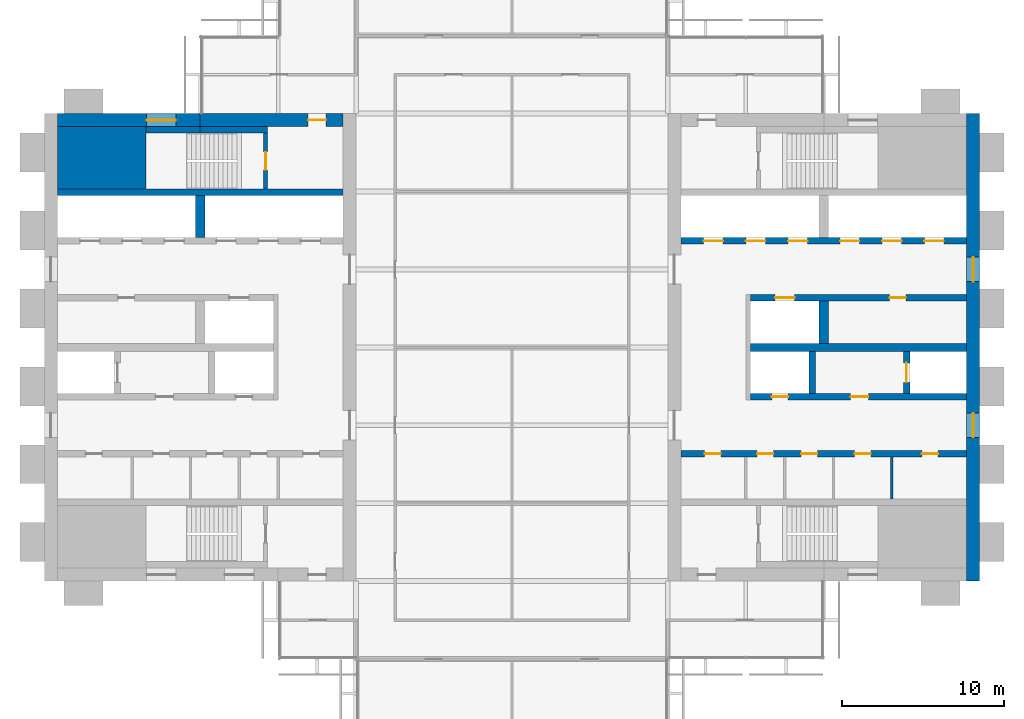
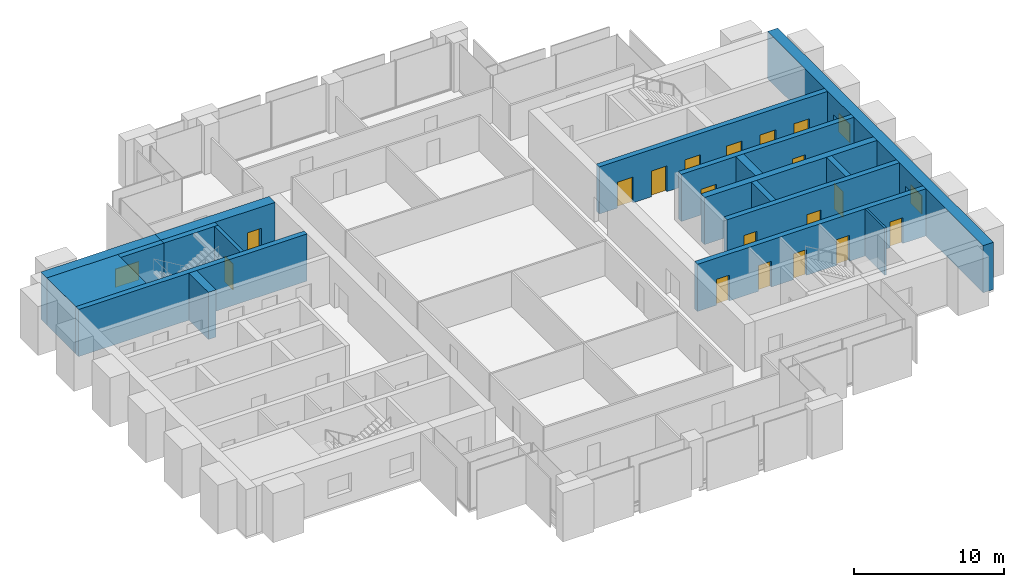
# One storey, part 10 of 13: 18 doors, 18 walls, 3 windows, 21 openings.
"""IFC4 building model written with IfcOpenShell, lengths in metres."""

from ifc_helpers import new_model, si_unit, direction, frame, frame_2d, origin, place, context, subcontext, project, spatial, rectangle, extrude, material, layer, layer_set, type_object, element, fill, save


model = new_model("IFC4")

# Units and contexts
model_context = context("Model", 3, precision=1e-05, world=origin(), true_north=direction((0.0, 1.0)))
body_context = subcontext(model_context, "Body", "Model", "MODEL_VIEW")
ifc_project = project(units=[si_unit("LENGTHUNIT", "METRE"), si_unit("AREAUNIT", "SQUARE_METRE"), si_unit("VOLUMEUNIT", "CUBIC_METRE"), si_unit("PLANEANGLEUNIT", "RADIAN"), si_unit("MASSUNIT", "GRAM", prefix="KILO")], contexts=[model_context])

# Site, building, storey
site_placement = place(None, origin())
site = spatial("IfcSite", under=ifc_project, at=site_placement, CompositionType="ELEMENT")
building_placement = place(site_placement, origin())
building = spatial("IfcBuilding", under=site, at=building_placement, Name="Baori Bourse Tower", CompositionType="ELEMENT")
storey_placement = place(building_placement, frame((0.0, 0.0, 217.199951171875)))
storey = spatial("IfcBuildingStorey", under=building, at=storey_placement, Name="L47", CompositionType="ELEMENT", Elevation=217.199951171875)

# Walls
ifc_material_1 = material(Name="Concrete f'c 50 MPa", Category="concrete")
wall_type_1 = type_object("IfcWallType", Name="Core corner block f'c 50", PredefinedType="SHEAR", material=ifc_material_1)
wall_1_placement = place(storey_placement, frame((0.800048828125, 35.675048828125, 0.0), z_axis=(0.0, 0.0, 1.0), x_axis=(1.0, 0.0, 0.0)))
element("IfcWall", 1, at=wall_1_placement, inside=storey, type_object=wall_type_1, Name="Core wall W24", PredefinedType="SHEAR", context=body_context, shape_type="SweptSolid", body=[
    extrude(rectangle(XDim=5.449951171875, YDim=3.85009765625, at=frame_2d((2.72509765625, 0.0))), origin(), (0.0, 0.0, 1.0), 3.840087890625),
])
ifc_material_2 = material(Name="Blockwork partition", Category="masonry")
ifc_layer_1 = layer(ifc_material_2, 0.14990234375)
ifc_layer_set_1 = layer_set([ifc_layer_1], Name="Core partition 150")
wall_type_2 = type_object("IfcWallType", Name="Core partition 150", PredefinedType="PARTITIONING", material=ifc_layer_set_1)
wall_2_placement = place(storey_placement, frame((52.199951171875, 14.64990234375, 0.0), z_axis=(0.0, 0.0, 1.0), x_axis=(0.0, 1.0, 0.0)))
element("IfcWall", 2, at=wall_2_placement, inside=storey, type_object=wall_type_2, Name="Partition wall E10", PredefinedType="PARTITIONING", context=body_context, shape_type="SweptSolid", body=[
    extrude(rectangle(XDim=2.60009765625, YDim=0.14990234375, at=frame_2d((1.300048828125, 0.0))), origin(), (0.0, 0.0, 1.0), 3.840087890625),
])

# Wall, opening, window
ifc_material_3 = material(Name="Concrete f'c 50 MPa", Category="concrete")
ifc_layer_2 = layer(ifc_material_3, 0.800048828125)
ifc_layer_set_2 = layer_set([ifc_layer_2], Name="Core wall 800 f'c 50")
wall_type_3 = type_object("IfcWallType", Name="Core wall 800 f'c 50", PredefinedType="SHEAR", material=ifc_layer_set_2)
wall_3_placement = place(storey_placement, frame((0.800048828125, 38.0, 0.0), z_axis=(0.0, 0.0, 1.0), x_axis=(1.0, 0.0, 0.0)))
wall_3 = element("IfcWall", 3, at=wall_3_placement, inside=storey, type_object=wall_type_3, Name="Core wall W28", PredefinedType="SHEAR", context=body_context, shape_type="SweptSolid", body=[
    extrude(rectangle(XDim=8.800048828125, YDim=0.800048828125, at=frame_2d((4.39990234375, 0.0))), origin(), (0.0, 0.0, 1.0), 3.840087890625),
])
opening_1_placement = place(wall_3_placement, frame((5.5, 0.0, 0.89990234375)))
opening_1 = element("IfcOpeningElement", 4, at=opening_1_placement, cuts=wall_3, Name="Opening L47-KW105", PredefinedType="OPENING", context=body_context, shape_type="SweptSolid", body=[
    extrude(rectangle(XDim=1.800048828125, YDim=1.5, at=frame_2d((0.89990234375, 0.75))), frame((0.0, 0.409912109375, 0.0), z_axis=(0.0, -1.0, 0.0), x_axis=(1.0, 0.0, 0.0)), (0.0, 0.0, 1.0), 0.820068359375),
])
ifc_material_4 = material(Name="Pale anodised aluminium", Category="aluminium")
window_type_1 = type_object("IfcWindowType", Name="Stair window 1800 x 1500", PartitioningType="SINGLE_PANEL", PredefinedType="WINDOW", material=ifc_material_4)
window_1_placement = place(opening_1_placement, origin())
window_1 = element("IfcWindow", 5, at=window_1_placement, inside=storey, type_object=window_type_1, Name="Stair window W L47 5", OverallHeight=1.5, OverallWidth=1.800048828125, PartitioningType="SINGLE_PANEL", PredefinedType="WINDOW", context=body_context, shape_type="SweptSolid", body=[
    extrude(rectangle(XDim=1.800048828125, YDim=1.5, at=frame_2d((0.89990234375, 0.75))), frame((0.0, 0.030029296875, 0.0), z_axis=(0.0, -1.0, 0.0), x_axis=(1.0, 0.0, 0.0)), (0.0, 0.0, 1.0), 0.06005859375),
])
fill(opening_1, window_1)

# Wall, opening, door
wall_4_placement = place(storey_placement, frame((9.60009765625, 38.0, 0.0), z_axis=(0.0, 0.0, 1.0), x_axis=(1.0, 0.0, 0.0)))
wall_4 = element("IfcWall", 6, at=wall_4_placement, inside=storey, type_object=wall_type_3, Name="Core wall W29", PredefinedType="SHEAR", context=body_context, shape_type="SweptSolid", body=[
    extrude(rectangle(XDim=8.7998046875, YDim=0.800048828125, at=frame_2d((4.39990234375, 0.0))), origin(), (0.0, 0.0, 1.0), 3.840087890625),
])
opening_2_placement = place(wall_4_placement, frame((6.64990234375, 0.0, 0.0)))
opening_2 = element("IfcOpeningElement", 7, at=opening_2_placement, cuts=wall_4, Name="Opening L47-D104", PredefinedType="OPENING", context=body_context, shape_type="SweptSolid", body=[
    extrude(rectangle(XDim=1.10009765625, YDim=2.10009765625, at=frame_2d((0.550048828125, 1.050048828125))), frame((0.0, 0.409912109375, 0.0), z_axis=(0.0, -1.0, 0.0), x_axis=(1.0, 0.0, 0.0)), (0.0, 0.0, 1.0), 0.820068359375),
])
ifc_material_5 = material(Name="Painted steel door", Category="steel")
door_type_1 = type_object("IfcDoorType", Name="Stair door 1100", OperationType="SINGLE_SWING_LEFT", PredefinedType="DOOR", material=ifc_material_5)
door_1_placement = place(opening_2_placement, origin())
door_1 = element("IfcDoor", 8, at=door_1_placement, inside=storey, type_object=door_type_1, Name="Stair vestibule door B W L47", OperationType="SINGLE_SWING_LEFT", OverallHeight=2.10009765625, OverallWidth=1.10009765625, PredefinedType="DOOR", context=body_context, shape_type="SweptSolid", body=[
    extrude(rectangle(XDim=1.10009765625, YDim=2.10009765625, at=frame_2d((0.550048828125, 1.050048828125))), frame((0.0, 0.02490234375, 0.0), z_axis=(0.0, -1.0, 0.0), x_axis=(1.0, 0.0, 0.0)), (0.0, 0.0, 1.0), 0.050048828125),
])
fill(opening_2, door_1)

# Wall, openings, windows
wall_5_placement = place(storey_placement, frame((57.199951171875, 38.39990234375, 0.0), z_axis=(0.0, 0.0, 1.0), x_axis=(0.0, -1.0, 0.0)))
wall_5 = element("IfcWall", 9, at=wall_5_placement, inside=storey, type_object=wall_type_3, Name="Core wall E01", PredefinedType="SHEAR", context=body_context, shape_type="SweptSolid", body=[
    extrude(rectangle(XDim=28.7998046875, YDim=0.800048828125, at=frame_2d((14.39990234375, 0.0))), origin(), (0.0, 0.0, 1.0), 3.840087890625),
])
opening_3_placement = place(wall_5_placement, frame((18.449951171875, 0.0, 0.89990234375)))
opening_3 = element("IfcOpeningElement", 10, at=opening_3_placement, cuts=wall_5, Name="Opening L47-KW201", PredefinedType="OPENING", context=body_context, shape_type="SweptSolid", body=[
    extrude(rectangle(XDim=1.5, YDim=1.5, at=frame_2d((0.75, 0.75))), frame((0.0, 0.409912109375, 0.0), z_axis=(0.0, -1.0, 0.0), x_axis=(1.0, 0.0, 0.0)), (0.0, 0.0, 1.0), 0.820068359375),
])
opening_4_placement = place(wall_5_placement, frame((8.85009765625, 0.0, 0.89990234375)))
opening_4 = element("IfcOpeningElement", 11, at=opening_4_placement, cuts=wall_5, Name="Opening L47-KW202", PredefinedType="OPENING", context=body_context, shape_type="SweptSolid", body=[
    extrude(rectangle(XDim=1.5, YDim=1.5, at=frame_2d((0.75, 0.75))), frame((0.0, 0.409912109375, 0.0), z_axis=(0.0, -1.0, 0.0), x_axis=(1.0, 0.0, 0.0)), (0.0, 0.0, 1.0), 0.820068359375),
])
ifc_material_6 = material(Name="Pale anodised aluminium", Category="aluminium")
window_type_2 = type_object("IfcWindowType", Name="Lobby window 1500 x 1500", PartitioningType="SINGLE_PANEL", PredefinedType="WINDOW", material=ifc_material_6)
window_2_placement = place(opening_3_placement, origin())
window_2 = element("IfcWindow", 12, at=window_2_placement, inside=storey, type_object=window_type_2, Name="Outer wall window E L47 1", OverallHeight=1.5, OverallWidth=1.5, PartitioningType="SINGLE_PANEL", PredefinedType="WINDOW", context=body_context, shape_type="SweptSolid", body=[
    extrude(rectangle(XDim=1.5, YDim=1.5, at=frame_2d((0.75, 0.75))), frame((0.0, 0.030029296875, 0.0), z_axis=(0.0, -1.0, 0.0), x_axis=(1.0, 0.0, 0.0)), (0.0, 0.0, 1.0), 0.06005859375),
])
fill(opening_3, window_2)
window_3_placement = place(opening_4_placement, origin())
window_3 = element("IfcWindow", 13, at=window_3_placement, inside=storey, type_object=window_type_2, Name="Outer wall window E L47 2", OverallHeight=1.5, OverallWidth=1.5, PartitioningType="SINGLE_PANEL", PredefinedType="WINDOW", context=body_context, shape_type="SweptSolid", body=[
    extrude(rectangle(XDim=1.5, YDim=1.5, at=frame_2d((0.75, 0.75))), frame((0.0, 0.030029296875, 0.0), z_axis=(0.0, -1.0, 0.0), x_axis=(1.0, 0.0, 0.0)), (0.0, 0.0, 1.0), 0.06005859375),
])
fill(opening_4, window_3)

# Wall, opening, door
ifc_material_7 = material(Name="Concrete f'c 50 MPa", Category="concrete")
ifc_layer_3 = layer(ifc_material_7, 0.25)
ifc_layer_set_3 = layer_set([ifc_layer_3], Name="Shaft wall 250 f'c 50")
wall_type_4 = type_object("IfcWallType", Name="Shaft wall 250 f'c 50", PredefinedType="SHEAR", material=ifc_layer_set_3)
wall_6_placement = place(storey_placement, frame((13.625, 33.75, 0.0), z_axis=(0.0, 0.0, 1.0), x_axis=(0.0, 1.0, 0.0)))
wall_6 = element("IfcWall", 14, at=wall_6_placement, inside=storey, type_object=wall_type_4, Name="Core wall W25", PredefinedType="SHEAR", context=body_context, shape_type="SweptSolid", body=[
    extrude(rectangle(XDim=3.449951171875, YDim=0.25, at=frame_2d((1.72509765625, 0.0))), origin(), (0.0, 0.0, 1.0), 3.840087890625),
])
opening_5_placement = place(wall_6_placement, frame((1.175048828125, 0.0, 0.0)))
opening_5 = element("IfcOpeningElement", 15, at=opening_5_placement, cuts=wall_6, Name="Opening L47-D103", PredefinedType="OPENING", context=body_context, shape_type="SweptSolid", body=[
    extrude(rectangle(XDim=1.10009765625, YDim=2.10009765625, at=frame_2d((0.550048828125, 1.050048828125))), frame((0.0, 0.135009765625, 0.0), z_axis=(0.0, -1.0, 0.0), x_axis=(1.0, 0.0, 0.0)), (0.0, 0.0, 1.0), 0.27001953125),
])
door_2_placement = place(opening_5_placement, origin())
door_2 = element("IfcDoor", 16, at=door_2_placement, inside=storey, type_object=door_type_1, Name="Stair door B W L47", OperationType="SINGLE_SWING_LEFT", OverallHeight=2.10009765625, OverallWidth=1.10009765625, PredefinedType="DOOR", context=body_context, shape_type="SweptSolid", body=[
    extrude(rectangle(XDim=1.10009765625, YDim=2.10009765625, at=frame_2d((0.550048828125, 1.050048828125))), frame((0.0, 0.02490234375, 0.0), z_axis=(0.0, -1.0, 0.0), x_axis=(1.0, 0.0, 0.0)), (0.0, 0.0, 1.0), 0.050048828125),
])
fill(opening_5, door_2)

# Walls
ifc_material_8 = material(Name="Concrete f'c 50 MPa", Category="concrete")
ifc_layer_4 = layer(ifc_material_8, 0.39990234375)
ifc_layer_set_4 = layer_set([ifc_layer_4], Name="Shaft wall 400 f'c 50")
wall_type_5 = type_object("IfcWallType", Name="Shaft wall 400 f'c 50", PredefinedType="SHEAR", material=ifc_layer_set_4)
wall_7_placement = place(storey_placement, frame((0.800048828125, 33.550048828125, 0.0), z_axis=(0.0, 0.0, 1.0), x_axis=(1.0, 0.0, 0.0)))
element("IfcWall", 17, at=wall_7_placement, inside=storey, type_object=wall_type_5, Name="Core wall W23", PredefinedType="SHEAR", context=body_context, shape_type="SweptSolid", body=[
    extrude(rectangle(XDim=17.599853515625, YDim=0.39990234375, at=frame_2d((8.7998046875, 0.0))), origin(), (0.0, 0.0, 1.0), 3.840087890625),
])
wall_8_placement = place(storey_placement, frame((6.25, 37.39990234375, 0.0), z_axis=(0.0, 0.0, 1.0), x_axis=(1.0, 0.0, 0.0)))
element("IfcWall", 18, at=wall_8_placement, inside=storey, type_object=wall_type_5, Name="Core wall W26", PredefinedType="SHEAR", context=body_context, shape_type="SweptSolid", body=[
    extrude(rectangle(XDim=3.35009765625, YDim=0.39990234375, at=frame_2d((1.675048828125, 0.0))), origin(), (0.0, 0.0, 1.0), 3.840087890625),
])
wall_9_placement = place(storey_placement, frame((9.60009765625, 37.39990234375, 0.0), z_axis=(0.0, 0.0, 1.0), x_axis=(1.0, 0.0, 0.0)))
element("IfcWall", 19, at=wall_9_placement, inside=storey, type_object=wall_type_5, Name="Core wall W27", PredefinedType="SHEAR", context=body_context, shape_type="SweptSolid", body=[
    extrude(rectangle(XDim=4.14990234375, YDim=0.39990234375, at=frame_2d((2.074951171875, 0.0))), origin(), (0.0, 0.0, 1.0), 3.840087890625),
])

# Wall, openings, doors
wall_10_placement = place(storey_placement, frame((39.199951171875, 17.449951171875, 0.0), z_axis=(0.0, 0.0, 1.0), x_axis=(1.0, 0.0, 0.0)))
wall_10 = element("IfcWall", 20, at=wall_10_placement, inside=storey, type_object=wall_type_5, Name="Core wall E14", PredefinedType="SHEAR", context=body_context, shape_type="SweptSolid", body=[
    extrude(rectangle(XDim=17.60009765625, YDim=0.39990234375, at=frame_2d((8.800048828125, 0.0))), origin(), (0.0, 0.0, 1.0), 3.840087890625),
])
opening_6_placement = place(wall_10_placement, frame((14.83740234375, 0.0, 0.0)))
opening_6 = element("IfcOpeningElement", 21, at=opening_6_placement, cuts=wall_10, Name="Opening L47-D209", PredefinedType="OPENING", context=body_context, shape_type="SweptSolid", body=[
    extrude(rectangle(XDim=1.0, YDim=2.10009765625, at=frame_2d((0.5, 1.050048828125))), frame((0.0, 0.2099609375, 0.0), z_axis=(0.0, -1.0, 0.0), x_axis=(1.0, 0.0, 0.0)), (0.0, 0.0, 1.0), 0.419921875),
])
opening_7_placement = place(wall_10_placement, frame((10.699951171875, 0.0, 0.0)))
opening_7 = element("IfcOpeningElement", 22, at=opening_7_placement, cuts=wall_10, Name="Opening L47-D210", PredefinedType="OPENING", context=body_context, shape_type="SweptSolid", body=[
    extrude(rectangle(XDim=1.0, YDim=2.10009765625, at=frame_2d((0.5, 1.050048828125))), frame((0.0, 0.2099609375, 0.0), z_axis=(0.0, -1.0, 0.0), x_axis=(1.0, 0.0, 0.0)), (0.0, 0.0, 1.0), 0.419921875),
])
opening_8_placement = place(wall_10_placement, frame((7.39990234375, 0.0, 0.0)))
opening_8 = element("IfcOpeningElement", 23, at=opening_8_placement, cuts=wall_10, Name="Opening L47-D211", PredefinedType="OPENING", context=body_context, shape_type="SweptSolid", body=[
    extrude(rectangle(XDim=1.0, YDim=2.10009765625, at=frame_2d((0.5, 1.050048828125))), frame((0.0, 0.2099609375, 0.0), z_axis=(0.0, -1.0, 0.0), x_axis=(1.0, 0.0, 0.0)), (0.0, 0.0, 1.0), 0.419921875),
])
opening_9_placement = place(wall_10_placement, frame((4.699951171875, 0.0, 0.0)))
opening_9 = element("IfcOpeningElement", 24, at=opening_9_placement, cuts=wall_10, Name="Opening L47-D212", PredefinedType="OPENING", context=body_context, shape_type="SweptSolid", body=[
    extrude(rectangle(XDim=1.0, YDim=2.10009765625, at=frame_2d((0.5, 1.050048828125))), frame((0.0, 0.2099609375, 0.0), z_axis=(0.0, -1.0, 0.0), x_axis=(1.0, 0.0, 0.0)), (0.0, 0.0, 1.0), 0.419921875),
])
opening_10_placement = place(wall_10_placement, frame((1.46240234375, 0.0, 0.0)))
opening_10 = element("IfcOpeningElement", 25, at=opening_10_placement, cuts=wall_10, Name="Opening L47-D213", PredefinedType="OPENING", context=body_context, shape_type="SweptSolid", body=[
    extrude(rectangle(XDim=1.0, YDim=2.10009765625, at=frame_2d((0.5, 1.050048828125))), frame((0.0, 0.2099609375, 0.0), z_axis=(0.0, -1.0, 0.0), x_axis=(1.0, 0.0, 0.0)), (0.0, 0.0, 1.0), 0.419921875),
])
ifc_material_9 = material(Name="Painted steel door", Category="steel")
door_type_2 = type_object("IfcDoorType", Name="Core door 1000", OperationType="SINGLE_SWING_LEFT", PredefinedType="DOOR", material=ifc_material_9)
door_3_placement = place(opening_6_placement, origin())
door_3 = element("IfcDoor", 26, at=door_3_placement, inside=storey, type_object=door_type_2, Name="Men'S Wc door E L47", OperationType="SINGLE_SWING_LEFT", OverallHeight=2.10009765625, OverallWidth=1.0, PredefinedType="DOOR", context=body_context, shape_type="SweptSolid", body=[
    extrude(rectangle(XDim=1.0, YDim=2.10009765625, at=frame_2d((0.5, 1.050048828125))), frame((0.0, 0.02490234375, 0.0), z_axis=(0.0, -1.0, 0.0), x_axis=(1.0, 0.0, 0.0)), (0.0, 0.0, 1.0), 0.050048828125),
])
fill(opening_6, door_3)
door_4_placement = place(opening_7_placement, origin())
door_4 = element("IfcDoor", 27, at=door_4_placement, inside=storey, type_object=door_type_2, Name="Women'S Wc door E L47", OperationType="SINGLE_SWING_LEFT", OverallHeight=2.10009765625, OverallWidth=1.0, PredefinedType="DOOR", context=body_context, shape_type="SweptSolid", body=[
    extrude(rectangle(XDim=1.0, YDim=2.10009765625, at=frame_2d((0.5, 1.050048828125))), frame((0.0, 0.02490234375, 0.0), z_axis=(0.0, -1.0, 0.0), x_axis=(1.0, 0.0, 0.0)), (0.0, 0.0, 1.0), 0.050048828125),
])
fill(opening_7, door_4)
door_5_placement = place(opening_8_placement, origin())
door_5 = element("IfcDoor", 28, at=door_5_placement, inside=storey, type_object=door_type_2, Name="Pantry door E L47", OperationType="SINGLE_SWING_LEFT", OverallHeight=2.10009765625, OverallWidth=1.0, PredefinedType="DOOR", context=body_context, shape_type="SweptSolid", body=[
    extrude(rectangle(XDim=1.0, YDim=2.10009765625, at=frame_2d((0.5, 1.050048828125))), frame((0.0, 0.02490234375, 0.0), z_axis=(0.0, -1.0, 0.0), x_axis=(1.0, 0.0, 0.0)), (0.0, 0.0, 1.0), 0.050048828125),
])
fill(opening_8, door_5)
door_6_placement = place(opening_9_placement, origin())
door_6 = element("IfcDoor", 29, at=door_6_placement, inside=storey, type_object=door_type_2, Name="Store Room door E L47", OperationType="SINGLE_SWING_LEFT", OverallHeight=2.10009765625, OverallWidth=1.0, PredefinedType="DOOR", context=body_context, shape_type="SweptSolid", body=[
    extrude(rectangle(XDim=1.0, YDim=2.10009765625, at=frame_2d((0.5, 1.050048828125))), frame((0.0, 0.02490234375, 0.0), z_axis=(0.0, -1.0, 0.0), x_axis=(1.0, 0.0, 0.0)), (0.0, 0.0, 1.0), 0.050048828125),
])
fill(opening_9, door_6)
door_7_placement = place(opening_10_placement, origin())
door_7 = element("IfcDoor", 30, at=door_7_placement, inside=storey, type_object=door_type_2, Name="Accessible Wc door E L47", OperationType="SINGLE_SWING_LEFT", OverallHeight=2.10009765625, OverallWidth=1.0, PredefinedType="DOOR", context=body_context, shape_type="SweptSolid", body=[
    extrude(rectangle(XDim=1.0, YDim=2.10009765625, at=frame_2d((0.5, 1.050048828125))), frame((0.0, 0.02490234375, 0.0), z_axis=(0.0, -1.0, 0.0), x_axis=(1.0, 0.0, 0.0)), (0.0, 0.0, 1.0), 0.050048828125),
])
fill(opening_10, door_7)

wall_11_placement = place(storey_placement, frame((43.5, 20.949951171875, 0.0), z_axis=(0.0, 0.0, 1.0), x_axis=(1.0, 0.0, 0.0)))
wall_11 = element("IfcWall", 31, at=wall_11_placement, inside=storey, type_object=wall_type_5, Name="Core wall E15", PredefinedType="SHEAR", context=body_context, shape_type="SweptSolid", body=[
    extrude(rectangle(XDim=13.300048828125, YDim=0.39990234375, at=frame_2d((6.64990234375, 0.0))), origin(), (0.0, 0.0, 1.0), 3.840087890625),
])
opening_11_placement = place(wall_11_placement, frame((6.14990234375, 0.0, 0.0)))
opening_11 = element("IfcOpeningElement", 32, at=opening_11_placement, cuts=wall_11, Name="Opening L47-D205", PredefinedType="OPENING", context=body_context, shape_type="SweptSolid", body=[
    extrude(rectangle(XDim=1.10009765625, YDim=2.10009765625, at=frame_2d((0.550048828125, 1.050048828125))), frame((0.0, 0.2099609375, 0.0), z_axis=(0.0, -1.0, 0.0), x_axis=(1.0, 0.0, 0.0)), (0.0, 0.0, 1.0), 0.419921875),
])
opening_12_placement = place(wall_11_placement, frame((1.300048828125, 0.0, 0.0)))
opening_12 = element("IfcOpeningElement", 33, at=opening_12_placement, cuts=wall_11, Name="Opening L47-D206", PredefinedType="OPENING", context=body_context, shape_type="SweptSolid", body=[
    extrude(rectangle(XDim=1.0, YDim=2.10009765625, at=frame_2d((0.5, 1.050048828125))), frame((0.0, 0.2099609375, 0.0), z_axis=(0.0, -1.0, 0.0), x_axis=(1.0, 0.0, 0.0)), (0.0, 0.0, 1.0), 0.419921875),
])
ifc_material_10 = material(Name="Painted steel door", Category="steel")
door_type_3 = type_object("IfcDoorType", Name="Lobby door 1100", OperationType="SINGLE_SWING_LEFT", PredefinedType="DOOR", material=ifc_material_10)
door_8_placement = place(opening_11_placement, origin())
door_8 = element("IfcDoor", 34, at=door_8_placement, inside=storey, type_object=door_type_3, Name="Firefighting lobby door E L47", OperationType="SINGLE_SWING_LEFT", OverallHeight=2.10009765625, OverallWidth=1.10009765625, PredefinedType="DOOR", context=body_context, shape_type="SweptSolid", body=[
    extrude(rectangle(XDim=1.10009765625, YDim=2.10009765625, at=frame_2d((0.550048828125, 1.050048828125))), frame((0.0, 0.02490234375, 0.0), z_axis=(0.0, -1.0, 0.0), x_axis=(1.0, 0.0, 0.0)), (0.0, 0.0, 1.0), 0.050048828125),
])
fill(opening_11, door_8)
ifc_material_11 = material(Name="Painted steel door", Category="steel")
door_type_4 = type_object("IfcDoorType", Name="Shaft door 1000", OperationType="SINGLE_SWING_LEFT", PredefinedType="DOOR", material=ifc_material_11)
door_9_placement = place(opening_12_placement, origin())
door_9 = element("IfcDoor", 35, at=door_9_placement, inside=storey, type_object=door_type_4, Name="Riser room door E L47", OperationType="SINGLE_SWING_LEFT", OverallHeight=2.10009765625, OverallWidth=1.0, PredefinedType="DOOR", context=body_context, shape_type="SweptSolid", body=[
    extrude(rectangle(XDim=1.0, YDim=2.10009765625, at=frame_2d((0.5, 1.050048828125))), frame((0.0, 0.02490234375, 0.0), z_axis=(0.0, -1.0, 0.0), x_axis=(1.0, 0.0, 0.0)), (0.0, 0.0, 1.0), 0.050048828125),
])
fill(opening_12, door_9)

# Wall, opening, door
wall_12_placement = place(storey_placement, frame((53.10009765625, 21.14990234375, 0.0), z_axis=(0.0, 0.0, 1.0), x_axis=(0.0, 1.0, 0.0)))
wall_12 = element("IfcWall", 36, at=wall_12_placement, inside=storey, type_object=wall_type_5, Name="Core wall E17", PredefinedType="SHEAR", context=body_context, shape_type="SweptSolid", body=[
    extrude(rectangle(XDim=2.60009765625, YDim=0.39990234375, at=frame_2d((1.300048828125, 0.0))), origin(), (0.0, 0.0, 1.0), 3.840087890625),
])
opening_13_placement = place(wall_12_placement, frame((0.699951171875, 0.0, 0.0)))
opening_13 = element("IfcOpeningElement", 37, at=opening_13_placement, cuts=wall_12, Name="Opening L47-D222", PredefinedType="OPENING", context=body_context, shape_type="SweptSolid", body=[
    extrude(rectangle(XDim=1.199951171875, YDim=2.10009765625, at=frame_2d((0.60009765625, 1.050048828125))), frame((0.0, 0.2099609375, 0.0), z_axis=(0.0, -1.0, 0.0), x_axis=(1.0, 0.0, 0.0)), (0.0, 0.0, 1.0), 0.419921875),
])
ifc_material_12 = material(Name="Stainless steel door", Category="steel")
door_type_5 = type_object("IfcDoorType", Name="Lift landing door", OperationType="DOUBLE_DOOR_SLIDING", PredefinedType="DOOR", material=ifc_material_12)
door_10_placement = place(opening_13_placement, origin())
door_10 = element("IfcDoor", 38, at=door_10_placement, inside=storey, type_object=door_type_5, Name="Lift landing door FF2 E L47", OperationType="DOUBLE_DOOR_SLIDING", OverallHeight=2.10009765625, OverallWidth=1.199951171875, PredefinedType="DOOR", context=body_context, shape_type="SweptSolid", body=[
    extrude(rectangle(XDim=1.199951171875, YDim=2.10009765625, at=frame_2d((0.60009765625, 1.050048828125))), frame((0.0, 0.02490234375, 0.0), z_axis=(0.0, -1.0, 0.0), x_axis=(1.0, 0.0, 0.0)), (0.0, 0.0, 1.0), 0.050048828125),
])
fill(opening_13, door_10)

# Wall
wall_13_placement = place(storey_placement, frame((47.300048828125, 21.14990234375, 0.0), z_axis=(0.0, 0.0, 1.0), x_axis=(0.0, 1.0, 0.0)))
element("IfcWall", 39, at=wall_13_placement, inside=storey, type_object=wall_type_5, Name="Core wall E18", PredefinedType="SHEAR", context=body_context, shape_type="SweptSolid", body=[
    extrude(rectangle(XDim=2.60009765625, YDim=0.39990234375, at=frame_2d((1.300048828125, 0.0))), origin(), (0.0, 0.0, 1.0), 3.840087890625),
])

# Wall, openings, doors
wall_14_placement = place(storey_placement, frame((43.5, 27.050048828125, 0.0), z_axis=(0.0, 0.0, 1.0), x_axis=(1.0, 0.0, 0.0)))
wall_14 = element("IfcWall", 40, at=wall_14_placement, inside=storey, type_object=wall_type_5, Name="Core wall E21", PredefinedType="SHEAR", context=body_context, shape_type="SweptSolid", body=[
    extrude(rectangle(XDim=13.300048828125, YDim=0.39990234375, at=frame_2d((6.64990234375, 0.0))), origin(), (0.0, 0.0, 1.0), 3.840087890625),
])
opening_14_placement = place(wall_14_placement, frame((8.550048828125, 0.0, 0.0)))
opening_14 = element("IfcOpeningElement", 41, at=opening_14_placement, cuts=wall_14, Name="Opening L47-D214", PredefinedType="OPENING", context=body_context, shape_type="SweptSolid", body=[
    extrude(rectangle(XDim=1.0, YDim=2.10009765625, at=frame_2d((0.5, 1.050048828125))), frame((0.0, 0.2099609375, 0.0), z_axis=(0.0, -1.0, 0.0), x_axis=(1.0, 0.0, 0.0)), (0.0, 0.0, 1.0), 0.419921875),
])
opening_15_placement = place(wall_14_placement, frame((1.5, 0.0, 0.0)))
opening_15 = element("IfcOpeningElement", 42, at=opening_15_placement, cuts=wall_14, Name="Opening L47-D221", PredefinedType="OPENING", context=body_context, shape_type="SweptSolid", body=[
    extrude(rectangle(XDim=1.199951171875, YDim=2.10009765625, at=frame_2d((0.60009765625, 1.050048828125))), frame((0.0, 0.2099609375, 0.0), z_axis=(0.0, -1.0, 0.0), x_axis=(1.0, 0.0, 0.0)), (0.0, 0.0, 1.0), 0.419921875),
])
door_11_placement = place(opening_14_placement, origin())
door_11 = element("IfcDoor", 43, at=door_11_placement, inside=storey, type_object=door_type_2, Name="Copy Room door E L47", OperationType="SINGLE_SWING_LEFT", OverallHeight=2.10009765625, OverallWidth=1.0, PredefinedType="DOOR", context=body_context, shape_type="SweptSolid", body=[
    extrude(rectangle(XDim=1.0, YDim=2.10009765625, at=frame_2d((0.5, 1.050048828125))), frame((0.0, 0.02490234375, 0.0), z_axis=(0.0, -1.0, 0.0), x_axis=(1.0, 0.0, 0.0)), (0.0, 0.0, 1.0), 0.050048828125),
])
fill(opening_14, door_11)
door_12_placement = place(opening_15_placement, origin())
door_12 = element("IfcDoor", 44, at=door_12_placement, inside=storey, type_object=door_type_5, Name="Lift landing door SV1 E L47", OperationType="DOUBLE_DOOR_SLIDING", OverallHeight=2.10009765625, OverallWidth=1.199951171875, PredefinedType="DOOR", context=body_context, shape_type="SweptSolid", body=[
    extrude(rectangle(XDim=1.199951171875, YDim=2.10009765625, at=frame_2d((0.60009765625, 1.050048828125))), frame((0.0, 0.02490234375, 0.0), z_axis=(0.0, -1.0, 0.0), x_axis=(1.0, 0.0, 0.0)), (0.0, 0.0, 1.0), 0.050048828125),
])
fill(opening_15, door_12)

wall_15_placement = place(storey_placement, frame((39.199951171875, 30.550048828125, 0.0), z_axis=(0.0, 0.0, 1.0), x_axis=(1.0, 0.0, 0.0)))
wall_15 = element("IfcWall", 45, at=wall_15_placement, inside=storey, type_object=wall_type_5, Name="Core wall E22", PredefinedType="SHEAR", context=body_context, shape_type="SweptSolid", body=[
    extrude(rectangle(XDim=17.60009765625, YDim=0.39990234375, at=frame_2d((8.800048828125, 0.0))), origin(), (0.0, 0.0, 1.0), 3.840087890625),
])
opening_16_placement = place(wall_15_placement, frame((15.0, 0.0, 0.0)))
opening_16 = element("IfcOpeningElement", 46, at=opening_16_placement, cuts=wall_15, Name="Opening L47-D215", PredefinedType="OPENING", context=body_context, shape_type="SweptSolid", body=[
    extrude(rectangle(XDim=1.199951171875, YDim=2.10009765625, at=frame_2d((0.60009765625, 1.050048828125))), frame((0.0, 0.2099609375, 0.0), z_axis=(0.0, -1.0, 0.0), x_axis=(1.0, 0.0, 0.0)), (0.0, 0.0, 1.0), 0.419921875),
])
opening_17_placement = place(wall_15_placement, frame((12.39990234375, 0.0, 0.0)))
opening_17 = element("IfcOpeningElement", 47, at=opening_17_placement, cuts=wall_15, Name="Opening L47-D216", PredefinedType="OPENING", context=body_context, shape_type="SweptSolid", body=[
    extrude(rectangle(XDim=1.199951171875, YDim=2.10009765625, at=frame_2d((0.60009765625, 1.050048828125))), frame((0.0, 0.2099609375, 0.0), z_axis=(0.0, -1.0, 0.0), x_axis=(1.0, 0.0, 0.0)), (0.0, 0.0, 1.0), 0.419921875),
])
opening_18_placement = place(wall_15_placement, frame((9.800048828125, 0.0, 0.0)))
opening_18 = element("IfcOpeningElement", 48, at=opening_18_placement, cuts=wall_15, Name="Opening L47-D217", PredefinedType="OPENING", context=body_context, shape_type="SweptSolid", body=[
    extrude(rectangle(XDim=1.199951171875, YDim=2.10009765625, at=frame_2d((0.60009765625, 1.050048828125))), frame((0.0, 0.2099609375, 0.0), z_axis=(0.0, -1.0, 0.0), x_axis=(1.0, 0.0, 0.0)), (0.0, 0.0, 1.0), 0.419921875),
])
opening_19_placement = place(wall_15_placement, frame((6.60009765625, 0.0, 0.0)))
opening_19 = element("IfcOpeningElement", 49, at=opening_19_placement, cuts=wall_15, Name="Opening L47-D218", PredefinedType="OPENING", context=body_context, shape_type="SweptSolid", body=[
    extrude(rectangle(XDim=1.199951171875, YDim=2.10009765625, at=frame_2d((0.60009765625, 1.050048828125))), frame((0.0, 0.2099609375, 0.0), z_axis=(0.0, -1.0, 0.0), x_axis=(1.0, 0.0, 0.0)), (0.0, 0.0, 1.0), 0.419921875),
])
opening_20_placement = place(wall_15_placement, frame((4.0, 0.0, 0.0)))
opening_20 = element("IfcOpeningElement", 50, at=opening_20_placement, cuts=wall_15, Name="Opening L47-D219", PredefinedType="OPENING", context=body_context, shape_type="SweptSolid", body=[
    extrude(rectangle(XDim=1.199951171875, YDim=2.10009765625, at=frame_2d((0.60009765625, 1.050048828125))), frame((0.0, 0.2099609375, 0.0), z_axis=(0.0, -1.0, 0.0), x_axis=(1.0, 0.0, 0.0)), (0.0, 0.0, 1.0), 0.419921875),
])
opening_21_placement = place(wall_15_placement, frame((1.39990234375, 0.0, 0.0)))
opening_21 = element("IfcOpeningElement", 51, at=opening_21_placement, cuts=wall_15, Name="Opening L47-D220", PredefinedType="OPENING", context=body_context, shape_type="SweptSolid", body=[
    extrude(rectangle(XDim=1.199951171875, YDim=2.10009765625, at=frame_2d((0.60009765625, 1.050048828125))), frame((0.0, 0.2099609375, 0.0), z_axis=(0.0, -1.0, 0.0), x_axis=(1.0, 0.0, 0.0)), (0.0, 0.0, 1.0), 0.419921875),
])
door_13_placement = place(opening_16_placement, origin())
door_13 = element("IfcDoor", 52, at=door_13_placement, inside=storey, type_object=door_type_5, Name="Lift landing door HR1 E L47", OperationType="DOUBLE_DOOR_SLIDING", OverallHeight=2.10009765625, OverallWidth=1.199951171875, PredefinedType="DOOR", context=body_context, shape_type="SweptSolid", body=[
    extrude(rectangle(XDim=1.199951171875, YDim=2.10009765625, at=frame_2d((0.60009765625, 1.050048828125))), frame((0.0, 0.02490234375, 0.0), z_axis=(0.0, -1.0, 0.0), x_axis=(1.0, 0.0, 0.0)), (0.0, 0.0, 1.0), 0.050048828125),
])
fill(opening_16, door_13)
door_14_placement = place(opening_17_placement, origin())
door_14 = element("IfcDoor", 53, at=door_14_placement, inside=storey, type_object=door_type_5, Name="Lift landing door HR2 E L47", OperationType="DOUBLE_DOOR_SLIDING", OverallHeight=2.10009765625, OverallWidth=1.199951171875, PredefinedType="DOOR", context=body_context, shape_type="SweptSolid", body=[
    extrude(rectangle(XDim=1.199951171875, YDim=2.10009765625, at=frame_2d((0.60009765625, 1.050048828125))), frame((0.0, 0.02490234375, 0.0), z_axis=(0.0, -1.0, 0.0), x_axis=(1.0, 0.0, 0.0)), (0.0, 0.0, 1.0), 0.050048828125),
])
fill(opening_17, door_14)
door_15_placement = place(opening_18_placement, origin())
door_15 = element("IfcDoor", 54, at=door_15_placement, inside=storey, type_object=door_type_5, Name="Lift landing door HR3 E L47", OperationType="DOUBLE_DOOR_SLIDING", OverallHeight=2.10009765625, OverallWidth=1.199951171875, PredefinedType="DOOR", context=body_context, shape_type="SweptSolid", body=[
    extrude(rectangle(XDim=1.199951171875, YDim=2.10009765625, at=frame_2d((0.60009765625, 1.050048828125))), frame((0.0, 0.02490234375, 0.0), z_axis=(0.0, -1.0, 0.0), x_axis=(1.0, 0.0, 0.0)), (0.0, 0.0, 1.0), 0.050048828125),
])
fill(opening_18, door_15)
door_16_placement = place(opening_19_placement, origin())
door_16 = element("IfcDoor", 55, at=door_16_placement, inside=storey, type_object=door_type_5, Name="Lift landing door HR4 E L47", OperationType="DOUBLE_DOOR_SLIDING", OverallHeight=2.10009765625, OverallWidth=1.199951171875, PredefinedType="DOOR", context=body_context, shape_type="SweptSolid", body=[
    extrude(rectangle(XDim=1.199951171875, YDim=2.10009765625, at=frame_2d((0.60009765625, 1.050048828125))), frame((0.0, 0.02490234375, 0.0), z_axis=(0.0, -1.0, 0.0), x_axis=(1.0, 0.0, 0.0)), (0.0, 0.0, 1.0), 0.050048828125),
])
fill(opening_19, door_16)
door_17_placement = place(opening_20_placement, origin())
door_17 = element("IfcDoor", 56, at=door_17_placement, inside=storey, type_object=door_type_5, Name="Lift landing door HR5 E L47", OperationType="DOUBLE_DOOR_SLIDING", OverallHeight=2.10009765625, OverallWidth=1.199951171875, PredefinedType="DOOR", context=body_context, shape_type="SweptSolid", body=[
    extrude(rectangle(XDim=1.199951171875, YDim=2.10009765625, at=frame_2d((0.60009765625, 1.050048828125))), frame((0.0, 0.02490234375, 0.0), z_axis=(0.0, -1.0, 0.0), x_axis=(1.0, 0.0, 0.0)), (0.0, 0.0, 1.0), 0.050048828125),
])
fill(opening_20, door_17)
door_18_placement = place(opening_21_placement, origin())
door_18 = element("IfcDoor", 57, at=door_18_placement, inside=storey, type_object=door_type_5, Name="Lift landing door HR6 E L47", OperationType="DOUBLE_DOOR_SLIDING", OverallHeight=2.10009765625, OverallWidth=1.199951171875, PredefinedType="DOOR", context=body_context, shape_type="SweptSolid", body=[
    extrude(rectangle(XDim=1.199951171875, YDim=2.10009765625, at=frame_2d((0.60009765625, 1.050048828125))), frame((0.0, 0.02490234375, 0.0), z_axis=(0.0, -1.0, 0.0), x_axis=(1.0, 0.0, 0.0)), (0.0, 0.0, 1.0), 0.050048828125),
])
fill(opening_21, door_18)

# Walls
ifc_material_13 = material(Name="Concrete f'c 50 MPa", Category="concrete")
ifc_layer_5 = layer(ifc_material_13, 0.5)
ifc_layer_set_5 = layer_set([ifc_layer_5], Name="Shaft wall 500 f'c 50")
wall_type_6 = type_object("IfcWallType", Name="Shaft wall 500 f'c 50", PredefinedType="SHEAR", material=ifc_layer_set_5)
wall_16_placement = place(storey_placement, frame((43.5, 24.0, 0.0), z_axis=(0.0, 0.0, 1.0), x_axis=(1.0, 0.0, 0.0)))
element("IfcWall", 58, at=wall_16_placement, inside=storey, type_object=wall_type_6, Name="Core wall E19", PredefinedType="SHEAR", context=body_context, shape_type="SweptSolid", body=[
    extrude(rectangle(XDim=13.300048828125, YDim=0.5, at=frame_2d((6.64990234375, 0.0))), origin(), (0.0, 0.0, 1.0), 3.840087890625),
])
ifc_material_14 = material(Name="Concrete f'c 50 MPa", Category="concrete")
ifc_layer_6 = layer(ifc_material_14, 0.60009765625)
ifc_layer_set_6 = layer_set([ifc_layer_6], Name="Shaft wall 600 f'c 50")
wall_type_7 = type_object("IfcWallType", Name="Shaft wall 600 f'c 50", PredefinedType="SHEAR", material=ifc_layer_set_6)
for number, where, z_axis, x_axis, name in (
    (59, (9.60009765625, 30.75, 0.0), (0.0, 0.0, 1.0), (0.0, 1.0, 0.0), "Core wall W22"),
    (60, (48.0, 24.25, 0.0), (0.0, 0.0, 1.0), (0.0, 1.0, 0.0), "Core wall E20"),
):
    element("IfcWall", number, at=place(storey_placement, frame(where, z_axis=z_axis, x_axis=x_axis)), inside=storey, type_object=wall_type_7, Name=name, PredefinedType="SHEAR", context=body_context, shape_type="SweptSolid", body=[
        extrude(rectangle(XDim=2.60009765625, YDim=0.60009765625, at=frame_2d((1.300048828125, 0.0))), origin(), (0.0, 0.0, 1.0), 3.840087890625),
    ])

save(model, "model.ifc")
